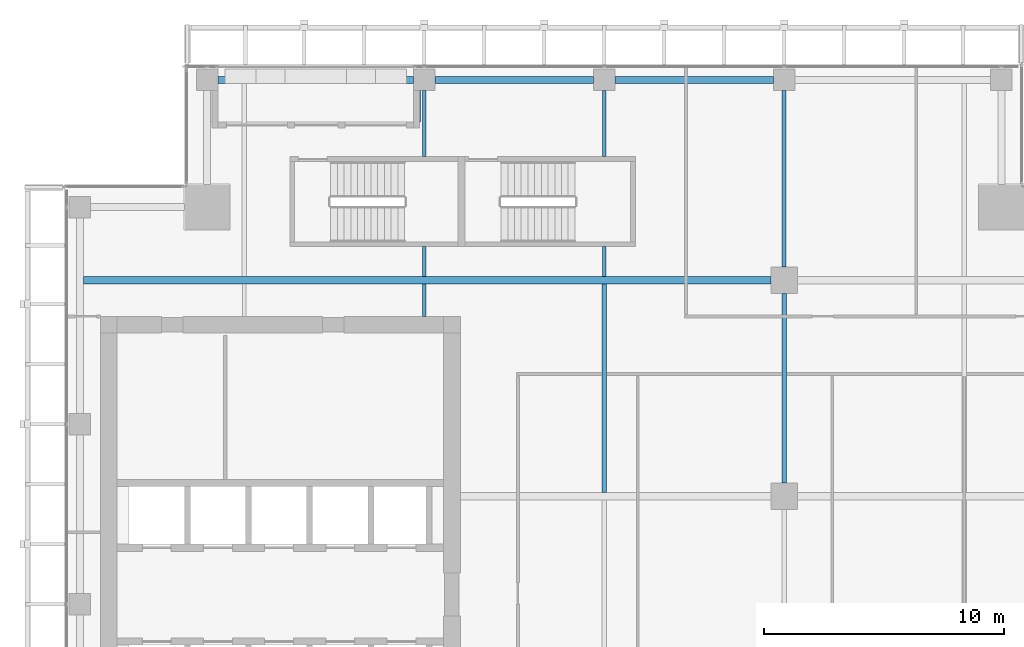
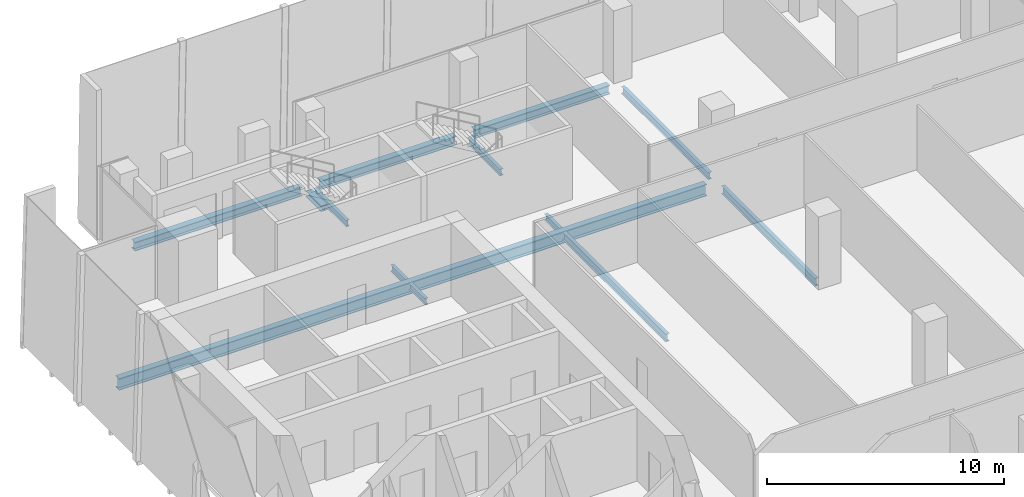
# One storey, part 15 of 35: 13 beams.
"""IFC4 building model written with IfcOpenShell, lengths in metres."""

from ifc_helpers import new_model, si_unit, direction, frame, origin, origin_2d, place, context, subcontext, project, spatial, i_section, extrude, source, transform, mapped, material, material_profile, profile_set, type_object, element, save


model = new_model("IFC4")

# Units and contexts
model_context = context("Model", 3, precision=1e-05, world=origin(), true_north=direction((0.0, 1.0)))
body_context = subcontext(model_context, "Body", "Model", "MODEL_VIEW")
ifc_project = project(units=[si_unit("LENGTHUNIT", "METRE"), si_unit("AREAUNIT", "SQUARE_METRE"), si_unit("VOLUMEUNIT", "CUBIC_METRE"), si_unit("PLANEANGLEUNIT", "RADIAN"), si_unit("MASSUNIT", "GRAM", prefix="KILO")], contexts=[model_context])

# Site, building, storey
site_placement = place(None, origin())
site = spatial("IfcSite", under=ifc_project, at=site_placement, CompositionType="ELEMENT")
building_placement = place(site_placement, origin())
building = spatial("IfcBuilding", under=site, at=building_placement, Name="Khomas Fold Tower", CompositionType="ELEMENT")
storey_placement = place(building_placement, frame((0.0, 0.0, 258.199951171875)))
storey = spatial("IfcBuildingStorey", under=building, at=storey_placement, Name="L58", CompositionType="ELEMENT", Elevation=258.199951171875)

# Beams
ifc_material_1 = material(Name="Steel S355", Category="steel")
ifc_material_profile_1 = material_profile(ifc_material_1, i_section(OverallWidth=0.179931640625, OverallDepth=0.39990234375, WebThickness=0.008544921875, FlangeThickness=0.013427734375, at=origin_2d()), Name="IPE 400")
ifc_profile_set_1 = profile_set([ifc_material_profile_1], Name="Steel S355")
beam_type_1 = type_object("IfcBeamType", Name="IPE 400 beam JB3", PredefinedType="BEAM", material=ifc_profile_set_1)
shared_shape_1 = source(origin(), body_context, "Body", "SweptSolid", [
    extrude(i_section(OverallWidth=0.179931640625, OverallDepth=0.39990234375, WebThickness=0.008544921875, FlangeThickness=0.013427734375, at=origin_2d()), origin(), (0.0, 0.0, 1.0), 8.7001953125),
])
beam_1_placement = place(storey_placement, frame((27.0, 31.64990234375, -0.449951171875), z_axis=(0.0, 1.0, 0.0), x_axis=(-1.0, 0.0, 0.0)))
element("IfcBeam", 1, at=beam_1_placement, inside=storey, type_object=beam_type_1, Name="JB3", PredefinedType="BEAM", context=body_context, shape_type="MappedRepresentation", body=[
    mapped(shared_shape_1, transform((0.0, 0.0, 0.0))),
])
ifc_material_2 = material(Name="Steel S355", Category="steel")
ifc_material_profile_2 = material_profile(ifc_material_2, i_section(OverallWidth=0.159912109375, OverallDepth=0.330078125, WebThickness=0.007568359375, FlangeThickness=0.011474609375, at=origin_2d()), Name="IPE 330")
ifc_profile_set_2 = profile_set([ifc_material_profile_2], Name="Steel S355")
beam_type_2 = type_object("IfcBeamType", Name="IPE 330 beam JB1", PredefinedType="BEAM", material=ifc_profile_set_2)
shared_shape_2 = source(origin(), body_context, "Body", "SweptSolid", [
    extrude(i_section(OverallWidth=0.159912109375, OverallDepth=0.330078125, WebThickness=0.007568359375, FlangeThickness=0.011474609375, at=origin_2d()), origin(), (0.0, 0.0, 1.0), 1.25),
])
for number, where, z_axis, x_axis, name in (
    (2, (19.5, 40.64990234375, -0.4150390625), (0.0, 1.0, 0.0), (-1.0, 0.0, 0.0), "JB1"),
    (3, (27.0, 40.64990234375, -0.4150390625), (0.0, 1.0, 0.0), (-1.0, 0.0, 0.0), "JB1"),
):
    element("IfcBeam", number, at=place(storey_placement, frame(where, z_axis=z_axis, x_axis=x_axis)), inside=storey, type_object=beam_type_2, Name=name, PredefinedType="BEAM", context=body_context, shape_type="MappedRepresentation", body=[
        mapped(shared_shape_2, transform((0.0, 0.0, 0.0))),
    ])
shared_shape_3 = source(origin(), body_context, "Body", "SweptSolid", [
    extrude(i_section(OverallWidth=0.159912109375, OverallDepth=0.330078125, WebThickness=0.007568359375, FlangeThickness=0.011474609375, at=origin_2d()), origin(), (0.0, 0.0, 1.0), 1.35009765625),
])
beam_2_placement = place(storey_placement, frame((19.5, 39.0, -0.4150390625), z_axis=(0.0, 1.0, 0.0), x_axis=(-1.0, 0.0, 0.0)))
element("IfcBeam", 4, at=beam_2_placement, inside=storey, type_object=beam_type_2, Name="JB1", PredefinedType="BEAM", context=body_context, shape_type="MappedRepresentation", body=[
    mapped(shared_shape_3, transform((0.0, 0.0, 0.0))),
])
shared_shape_4 = source(origin(), body_context, "Body", "SweptSolid", [
    extrude(i_section(OverallWidth=0.159912109375, OverallDepth=0.330078125, WebThickness=0.007568359375, FlangeThickness=0.011474609375, at=origin_2d()), origin(), (0.0, 0.0, 1.0), 2.75),
])
for number, where, z_axis, x_axis, name in (
    (5, (19.5, 45.64990234375, -0.4150390625), (0.0, 1.0, 0.0), (-1.0, 0.0, 0.0), "JB1"),
    (6, (27.0, 45.64990234375, -0.4150390625), (0.0, 1.0, 0.0), (-1.0, 0.0, 0.0), "JB1"),
):
    element("IfcBeam", number, at=place(storey_placement, frame(where, z_axis=z_axis, x_axis=x_axis)), inside=storey, type_object=beam_type_2, Name=name, PredefinedType="BEAM", context=body_context, shape_type="MappedRepresentation", body=[
        mapped(shared_shape_4, transform((0.0, 0.0, 0.0))),
    ])
ifc_material_3 = material(Name="Steel S355", Category="steel")
ifc_material_profile_3 = material_profile(ifc_material_3, i_section(OverallWidth=0.300048828125, OverallDepth=0.449951171875, WebThickness=0.013916015625, FlangeThickness=0.02587890625, at=origin_2d()), Name="HE 450 B")
ifc_profile_set_3 = profile_set([ifc_material_profile_3], Name="Steel S355")
beam_type_3 = type_object("IfcBeamType", Name="HE 450 B spandrel SB4", PredefinedType="SPANDREL", material=ifc_profile_set_3)
shared_shape_5 = source(origin(), body_context, "Body", "SweptSolid", [
    extrude(i_section(OverallWidth=0.300048828125, OverallDepth=0.449951171875, WebThickness=0.013916015625, FlangeThickness=0.02587890625, at=origin_2d()), origin(), (0.0, 0.0, 1.0), 8.150146484375),
])
beam_3_placement = place(storey_placement, frame((10.89990234375, 48.85009765625, -0.474853515625), z_axis=(1.0, 0.0, 0.0), x_axis=(0.0, 1.0, 0.0)))
element("IfcBeam", 7, at=beam_3_placement, inside=storey, type_object=beam_type_3, Name="SB4", PredefinedType="SPANDREL", context=body_context, shape_type="MappedRepresentation", body=[
    mapped(shared_shape_5, transform((0.0, 0.0, 0.0))),
])
shared_shape_6 = source(origin(), body_context, "Body", "SweptSolid", [
    extrude(i_section(OverallWidth=0.300048828125, OverallDepth=0.449951171875, WebThickness=0.013916015625, FlangeThickness=0.02587890625, at=origin_2d()), origin(), (0.0, 0.0, 1.0), 6.60009765625),
])
for number, where, z_axis, x_axis, name in (
    (8, (27.449951171875, 48.85009765625, -0.474853515625), (1.0, 0.0, 0.0), (0.0, 1.0, 0.0), "SB4"),
    (9, (19.949951171875, 48.85009765625, -0.474853515625), (1.0, 0.0, 0.0), (0.0, 1.0, 0.0), "SB4"),
):
    element("IfcBeam", number, at=place(storey_placement, frame(where, z_axis=z_axis, x_axis=x_axis)), inside=storey, type_object=beam_type_3, Name=name, PredefinedType="SPANDREL", context=body_context, shape_type="MappedRepresentation", body=[
        mapped(shared_shape_6, transform((0.0, 0.0, 0.0))),
    ])
ifc_material_4 = material(Name="Steel S355", Category="steel")
ifc_material_profile_4 = material_profile(ifc_material_4, i_section(OverallWidth=0.300048828125, OverallDepth=0.60009765625, WebThickness=0.015380859375, FlangeThickness=0.030029296875, at=origin_2d()), Name="HE 600 B")
ifc_profile_set_4 = profile_set([ifc_material_profile_4], Name="Steel S355")
beam_type_4 = type_object("IfcBeamType", Name="HE 600 B beam GB5", PredefinedType="BEAM", material=ifc_profile_set_4)
shared_shape_7 = source(origin(), body_context, "Body", "SweptSolid", [
    extrude(i_section(OverallWidth=0.300048828125, OverallDepth=0.60009765625, WebThickness=0.015380859375, FlangeThickness=0.030029296875, at=origin_2d()), origin(), (0.0, 0.0, 1.0), 28.64990234375),
])
beam_4_placement = place(storey_placement, frame((5.300048828125, 40.5, -0.550048828125), z_axis=(1.0, 0.0, 0.0), x_axis=(0.0, 1.0, 0.0)))
element("IfcBeam", 10, at=beam_4_placement, inside=storey, type_object=beam_type_4, Name="GB5", PredefinedType="BEAM", context=body_context, shape_type="MappedRepresentation", body=[
    mapped(shared_shape_7, transform((0.0, 0.0, 0.0))),
])
ifc_material_5 = material(Name="Steel S355", Category="steel")
ifc_material_profile_5 = material_profile(ifc_material_5, i_section(OverallWidth=0.169921875, OverallDepth=0.360107421875, WebThickness=0.008056640625, FlangeThickness=0.0126953125, at=origin_2d()), Name="IPE 360")
ifc_profile_set_5 = profile_set([ifc_material_profile_5], Name="Steel S355")
beam_type_5 = type_object("IfcBeamType", Name="IPE 360 beam JB2", PredefinedType="BEAM", material=ifc_profile_set_5)
shared_shape_8 = source(origin(), body_context, "Body", "SweptSolid", [
    extrude(i_section(OverallWidth=0.169921875, OverallDepth=0.360107421875, WebThickness=0.008056640625, FlangeThickness=0.0126953125, at=origin_2d()), origin(), (0.0, 0.0, 1.0), 7.349853515625),
])
beam_5_placement = place(storey_placement, frame((34.5, 41.050048828125, -0.429931640625), z_axis=(0.0, 1.0, 0.0), x_axis=(-1.0, 0.0, 0.0)))
element("IfcBeam", 11, at=beam_5_placement, inside=storey, type_object=beam_type_5, Name="JB2", PredefinedType="BEAM", context=body_context, shape_type="MappedRepresentation", body=[
    mapped(shared_shape_8, transform((0.0, 0.0, 0.0))),
])
shared_shape_9 = source(origin(), body_context, "Body", "SweptSolid", [
    extrude(i_section(OverallWidth=0.179931640625, OverallDepth=0.39990234375, WebThickness=0.008544921875, FlangeThickness=0.013427734375, at=origin_2d()), origin(), (0.0, 0.0, 1.0), 7.89990234375),
])
beam_6_placement = place(storey_placement, frame((34.5, 32.050048828125, -0.449951171875), z_axis=(0.0, 1.0, 0.0), x_axis=(-1.0, 0.0, 0.0)))
element("IfcBeam", 12, at=beam_6_placement, inside=storey, type_object=beam_type_1, Name="JB3", PredefinedType="BEAM", context=body_context, shape_type="MappedRepresentation", body=[
    mapped(shared_shape_9, transform((0.0, 0.0, 0.0))),
])
ifc_material_6 = material(Name="Steel S355", Category="steel")
ifc_material_profile_6 = material_profile(ifc_material_6, i_section(OverallWidth=0.300048828125, OverallDepth=0.300048828125, WebThickness=0.010986328125, FlangeThickness=0.01904296875, at=origin_2d()), Name="HE 300 B")
ifc_profile_set_6 = profile_set([ifc_material_profile_6], Name="Steel S355")
beam_type_6 = type_object("IfcBeamType", Name="HE 300 B beam BB1", PredefinedType="BEAM", material=ifc_profile_set_6)
shared_shape_10 = source(origin(), body_context, "Body", "SweptSolid", [
    extrude(i_section(OverallWidth=0.300048828125, OverallDepth=0.300048828125, WebThickness=0.010986328125, FlangeThickness=0.01904296875, at=origin_2d()), origin(), (0.0, 0.0, 1.0), 1.2998046875),
])
beam_7_placement = place(storey_placement, frame((19.199951171875, 47.10009765625, -0.39990234375), z_axis=(0.0, 1.0, 0.0), x_axis=(-1.0, 0.0, 0.0)))
element("IfcBeam", 13, at=beam_7_placement, inside=storey, type_object=beam_type_6, Name="BB1", PredefinedType="BEAM", context=body_context, shape_type="MappedRepresentation", body=[
    mapped(shared_shape_10, transform((0.0, 0.0, 0.0))),
])

save(model, "model.ifc")
